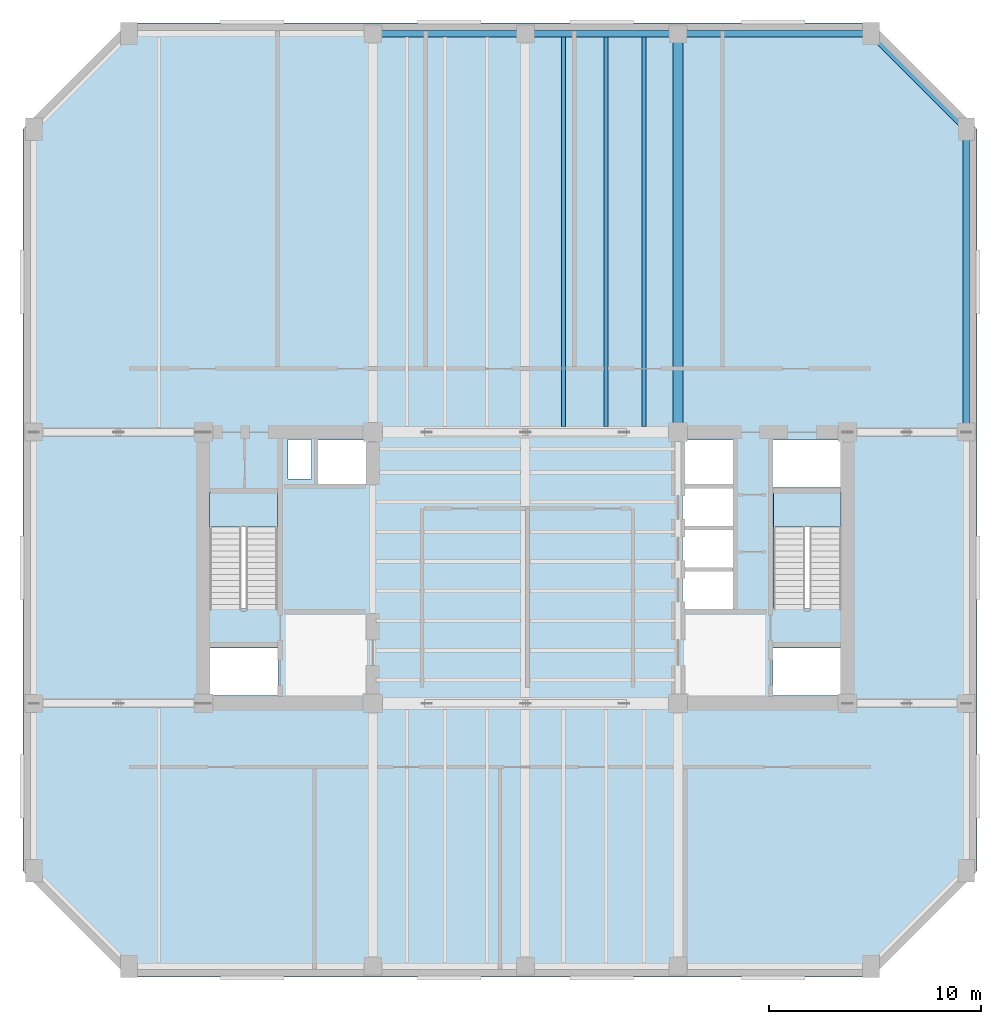
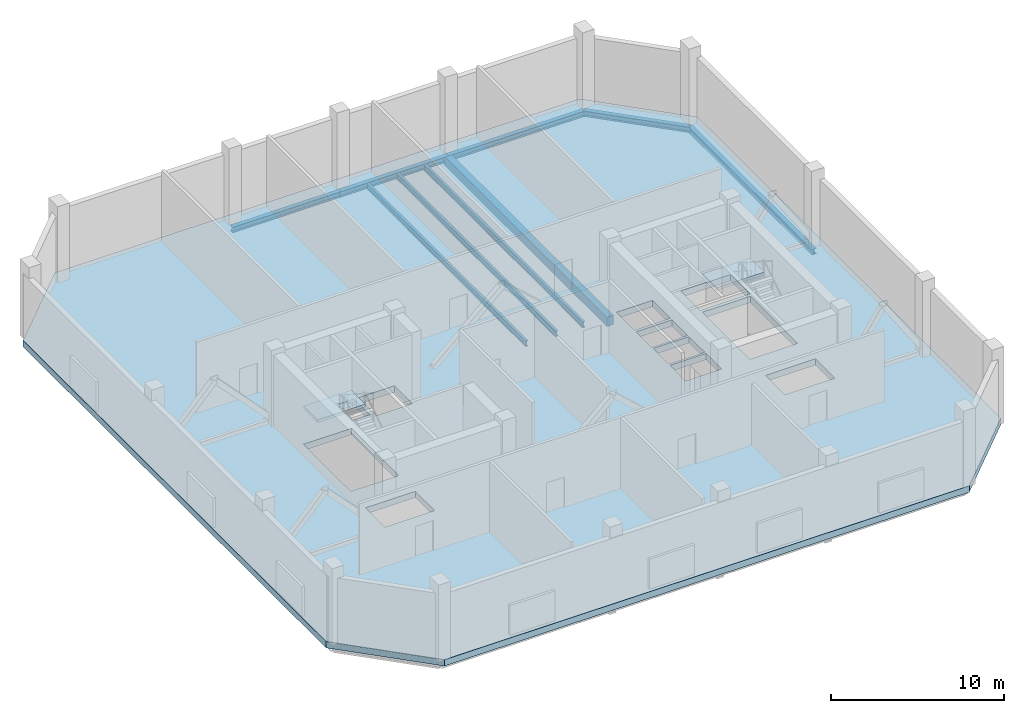
# One storey, part 2 of 9: 9 beams, 3 slabs, 2 elements without a shape of their own.
"""IFC4 building model written with IfcOpenShell, lengths in metres."""

from ifc_helpers import new_model, si_unit, direction, frame, origin, origin_2d, place, context, subcontext, project, spatial, polyline, rectangle, i_section, outline, extrude, material, layer, layer_set, material_profile, profile_set, type_object, element, aggregate, save


model = new_model("IFC4")

# Units and contexts
model_context = context("Model", 3, precision=1e-05, world=origin(), true_north=direction((0.0, 1.0)))
body_context = subcontext(model_context, "Body", "Model", "MODEL_VIEW")
ifc_project = project(units=[si_unit("LENGTHUNIT", "METRE"), si_unit("AREAUNIT", "SQUARE_METRE"), si_unit("VOLUMEUNIT", "CUBIC_METRE"), si_unit("PLANEANGLEUNIT", "RADIAN"), si_unit("MASSUNIT", "GRAM", prefix="KILO")], contexts=[model_context])

# Site, building, storey
site_placement = place(None, origin())
site = spatial("IfcSite", under=ifc_project, at=site_placement, CompositionType="ELEMENT")
building_placement = place(site_placement, origin())
building = spatial("IfcBuilding", under=site, at=building_placement, Name="Kranthara Brick Stack", CompositionType="ELEMENT")
storey_placement = place(building_placement, frame((0.0, 0.0, 197.300048828125)))
storey = spatial("IfcBuildingStorey", under=building, at=storey_placement, Name="L51", CompositionType="ELEMENT", Elevation=197.300048828125)

# Beams
ifc_material_1 = material(Name="Post-tensioned concrete C45/55", Category="concrete")
ifc_material_profile_1 = material_profile(ifc_material_1, rectangle(XDim=0.449951171875, YDim=0.64990234375, at=origin_2d()), Name="PT 450x650")
ifc_profile_set_1 = profile_set([ifc_material_profile_1], Name="Post-tensioned concrete C45/55")
beam_type_1 = type_object("IfcBeamType", Name="BM-FLR-PT650", PredefinedType="BEAM", material=ifc_profile_set_1)
beam_1_placement = place(storey_placement, frame((35.199951171875, 33.60009765625, -0.775146484375), z_axis=(0.0, 1.0, 0.0), x_axis=(-1.0, 0.0, 0.0)))
element("IfcBeam", 1, at=beam_1_placement, inside=storey, type_object=beam_type_1, Name="L51 Primary Grid Girder 029", PredefinedType="BEAM", context=body_context, shape_type="SweptSolid", body=[
    extrude(rectangle(XDim=0.449951171875, YDim=0.64990234375, at=origin_2d()), origin(), (0.0, 0.0, 1.0), 18.7998046875),
])
ifc_material_2 = material(Name="Steel S355", Category="steel")
ifc_material_profile_2 = material_profile(ifc_material_2, i_section(OverallWidth=0.179931640625, OverallDepth=0.39990234375, WebThickness=0.008544921875, FlangeThickness=0.013427734375, at=origin_2d()), Name="IPE 400")
ifc_profile_set_2 = profile_set([ifc_material_profile_2], Name="Steel S355")
beam_type_2 = type_object("IfcBeamType", Name="BM-JST-IPE400", PredefinedType="JOIST", material=ifc_profile_set_2)
for number, where, z_axis, x_axis, name in (
    (2, (29.800048828125, 33.875, -0.650146484375), (0.0, 1.0, 0.0), (-1.0, 0.0, 0.0), "L51 North Wing Floor Joist 061"),
    (3, (31.800048828125, 33.875, -0.650146484375), (0.0, 1.0, 0.0), (-1.0, 0.0, 0.0), "L51 North Wing Floor Joist 063"),
    (4, (33.60009765625, 33.875, -0.650146484375), (0.0, 1.0, 0.0), (-1.0, 0.0, 0.0), "L51 North Wing Floor Joist 065"),
):
    element("IfcBeam", number, at=place(storey_placement, frame(where, z_axis=z_axis, x_axis=x_axis)), inside=storey, type_object=beam_type_2, Name=name, PredefinedType="JOIST", context=body_context, shape_type="SweptSolid", body=[
        extrude(i_section(OverallWidth=0.179931640625, OverallDepth=0.39990234375, WebThickness=0.008544921875, FlangeThickness=0.013427734375, at=origin_2d()), origin(), (0.0, 0.0, 1.0), 18.375),
    ])
ifc_material_3 = material(Name="Steel S355", Category="steel")
ifc_material_profile_3 = material_profile(ifc_material_3, i_section(OverallWidth=0.300048828125, OverallDepth=0.39990234375, WebThickness=0.013427734375, FlangeThickness=0.02392578125, at=origin_2d()), Name="HEB 400")
ifc_profile_set_3 = profile_set([ifc_material_profile_3], Name="Steel S355")
beam_type_3 = type_object("IfcBeamType", Name="BM-STL-HEB400", PredefinedType="SPANDREL", material=ifc_profile_set_3)
for number, where, z_axis, x_axis, name in (
    (5, (20.800048828125, 52.39990234375, -0.650146484375), (1.0, 0.0, 0.0), (0.0, 1.0, 0.0), "L51 Perimeter Spandrel Beam 010"),
    (6, (28.0, 52.39990234375, -0.650146484375), (1.0, 0.0, 0.0), (0.0, 1.0, 0.0), "L51 Perimeter Spandrel Beam 011"),
):
    element("IfcBeam", number, at=place(storey_placement, frame(where, z_axis=z_axis, x_axis=x_axis)), inside=storey, type_object=beam_type_3, Name=name, PredefinedType="SPANDREL", context=body_context, shape_type="SweptSolid", body=[
        extrude(i_section(OverallWidth=0.300048828125, OverallDepth=0.39990234375, WebThickness=0.013427734375, FlangeThickness=0.02392578125, at=origin_2d()), origin(), (0.0, 0.0, 1.0), 7.199951171875),
    ])
beam_2_placement = place(storey_placement, frame((35.199951171875, 52.39990234375, -0.650146484375), z_axis=(1.0, 0.0, 0.0), x_axis=(0.0, 1.0, 0.0)))
element("IfcBeam", 7, at=beam_2_placement, inside=storey, type_object=beam_type_3, Name="L51 Perimeter Spandrel Beam 012", PredefinedType="SPANDREL", context=body_context, shape_type="SweptSolid", body=[
    extrude(i_section(OverallWidth=0.300048828125, OverallDepth=0.39990234375, WebThickness=0.013427734375, FlangeThickness=0.02392578125, at=origin_2d()), origin(), (0.0, 0.0, 1.0), 9.10009765625),
])
beam_3_placement = place(storey_placement, frame((48.800048828125, 33.60009765625, -0.650146484375), z_axis=(0.0, 1.0, 0.0), x_axis=(-1.0, 0.0, 0.0)))
element("IfcBeam", 8, at=beam_3_placement, inside=storey, type_object=beam_type_3, Name="L51 Perimeter Spandrel Beam 018", PredefinedType="SPANDREL", context=body_context, shape_type="SweptSolid", body=[
    extrude(i_section(OverallWidth=0.300048828125, OverallDepth=0.39990234375, WebThickness=0.013427734375, FlangeThickness=0.02392578125, at=origin_2d()), origin(), (0.0, 0.0, 1.0), 14.2998046875),
])
beam_4_placement = place(storey_placement, frame((44.300048828125, 52.39990234375, -0.650146484375), z_axis=(0.707106781187, -0.707106781187, 0.0), x_axis=(0.707106781187, 0.707106781187, 0.0)))
element("IfcBeam", 9, at=beam_4_placement, inside=storey, type_object=beam_type_3, Name="L51 Chamfer Corner Spandrel 022", PredefinedType="SPANDREL", context=body_context, shape_type="SweptSolid", body=[
    extrude(i_section(OverallWidth=0.300048828125, OverallDepth=0.39990234375, WebThickness=0.013427734375, FlangeThickness=0.02392578125, at=origin_2d()), origin(), (0.0, 0.0, 1.0), 6.364013671875),
])

# Stair, slab
ifc_material_4 = material(Name="Concrete C45/55", Category="concrete")
stair_type = type_object("IfcStairType", Name="ST-CORE-30R", PredefinedType="HALF_TURN_STAIR", material=ifc_material_4)
stair_1_placement = place(storey_placement, origin())
stair_1 = element("IfcStair", 10, at=stair_1_placement, inside=storey, type_object=stair_type, Name="L51 West Core Protected Exit Stair ST01", PredefinedType="HALF_TURN_STAIR")
ifc_material_5 = material(Name="Concrete C45/55", Category="concrete")
ifc_layer_1 = layer(ifc_material_5, 0.199951171875)
ifc_layer_set_1 = layer_set([ifc_layer_1], Name="Concrete C45/55")
slab_type_1 = type_object("IfcSlabType", Name="SLB-LANDING-200", PredefinedType="LANDING", material=ifc_layer_set_1)
slab_1_placement = place(storey_placement, frame((0.0, 0.0, 2.5)))
slab_1 = element("IfcSlab", 11, at=slab_1_placement, type_object=slab_type_1, Name="ST01 landing 1", PredefinedType="LANDING", context=body_context, shape_type="SweptSolid", body=[
    extrude(outline(polyline([(16.300048828125, 29.1201171875), (16.300048828125, 30.75), (13.10009765625, 30.75), (13.10009765625, 29.1201171875), (16.300048828125, 29.1201171875)])), origin(), (0.0, 0.0, 1.0), 0.199951171875),
])
aggregate(stair_1, [slab_1])

stair_2_placement = place(storey_placement, origin())
stair_2 = element("IfcStair", 12, at=stair_2_placement, inside=storey, type_object=stair_type, Name="L51 East Core Protected Exit Stair ST02", PredefinedType="HALF_TURN_STAIR")
slab_2_placement = place(storey_placement, frame((0.0, 0.0, 2.5)))
slab_2 = element("IfcSlab", 13, at=slab_2_placement, type_object=slab_type_1, Name="ST02 landing 1", PredefinedType="LANDING", context=body_context, shape_type="SweptSolid", body=[
    extrude(outline(polyline([(42.89990234375, 29.1201171875), (42.89990234375, 30.75), (39.699951171875, 30.75), (39.699951171875, 29.1201171875), (42.89990234375, 29.1201171875)])), origin(), (0.0, 0.0, 1.0), 0.199951171875),
])
aggregate(stair_2, [slab_2])

# Slab
ifc_material_6 = material(Name="Post-tensioned concrete C50/60", Category="concrete")
ifc_layer_2 = layer(ifc_material_6, 0.449951171875)
ifc_layer_set_2 = layer_set([ifc_layer_2], Name="Post-tensioned concrete C50/60")
slab_type_2 = type_object("IfcSlabType", Name="SLB-TRANS-450", PredefinedType="FLOOR", material=ifc_layer_set_2)
slab_3_placement = place(storey_placement, frame((0.0, 0.0, -0.449951171875)))
element("IfcSlab", 14, at=slab_3_placement, inside=storey, type_object=slab_type_2, Name="L51 Structural Floor Plate", PredefinedType="FLOOR", context=body_context, shape_type="SweptSolid", body=[
    extrude(outline(polyline([(9.300048828125, 7.89990234375), (44.300048828125, 7.89990234375), (49.300048828125, 12.89990234375), (49.300048828125, 47.89990234375), (44.300048828125, 52.89990234375), (9.300048828125, 52.89990234375), (4.300048828125, 47.89990234375), (4.300048828125, 12.89990234375), (9.300048828125, 7.89990234375)]), holes=[polyline([(13.10009765625, 25.280029296875), (16.300048828125, 25.280029296875), (16.300048828125, 30.75), (13.10009765625, 30.75), (13.10009765625, 25.280029296875)]), polyline([(39.699951171875, 25.280029296875), (42.89990234375, 25.280029296875), (42.89990234375, 30.75), (39.699951171875, 30.75), (39.699951171875, 25.280029296875)]), polyline([(13.0, 21.179931640625), (16.320068359375, 21.179931640625), (16.320068359375, 23.419921875), (13.0, 23.419921875), (13.0, 21.179931640625)]), polyline([(39.679931640625, 21.179931640625), (43.0, 21.179931640625), (43.0, 23.419921875), (39.679931640625, 23.419921875), (39.679931640625, 21.179931640625)]), polyline([(39.679931640625, 30.97998046875), (43.0, 30.97998046875), (43.0, 33.219970703125), (39.679931640625, 33.219970703125), (39.679931640625, 30.97998046875)]), polyline([(35.39990234375, 25.25), (37.800048828125, 25.25), (37.800048828125, 27.050048828125), (35.39990234375, 27.050048828125), (35.39990234375, 25.25)]), polyline([(35.39990234375, 27.199951171875), (37.800048828125, 27.199951171875), (37.800048828125, 29.0), (35.39990234375, 29.0), (35.39990234375, 27.199951171875)]), polyline([(35.39990234375, 29.14990234375), (37.800048828125, 29.14990234375), (37.800048828125, 30.949951171875), (35.39990234375, 30.949951171875), (35.39990234375, 29.14990234375)]), polyline([(18.199951171875, 31.14990234375), (20.60009765625, 31.14990234375), (20.60009765625, 33.219970703125), (18.199951171875, 33.219970703125), (18.199951171875, 31.14990234375)]), polyline([(35.39990234375, 31.14990234375), (37.800048828125, 31.14990234375), (37.800048828125, 33.219970703125), (35.39990234375, 33.219970703125), (35.39990234375, 31.14990234375)]), polyline([(16.800048828125, 31.39990234375), (17.89990234375, 31.39990234375), (17.89990234375, 33.25), (16.800048828125, 33.25), (16.800048828125, 31.39990234375)])]), origin(), (0.0, 0.0, 1.0), 0.449951171875),
])

save(model, "model.ifc")
